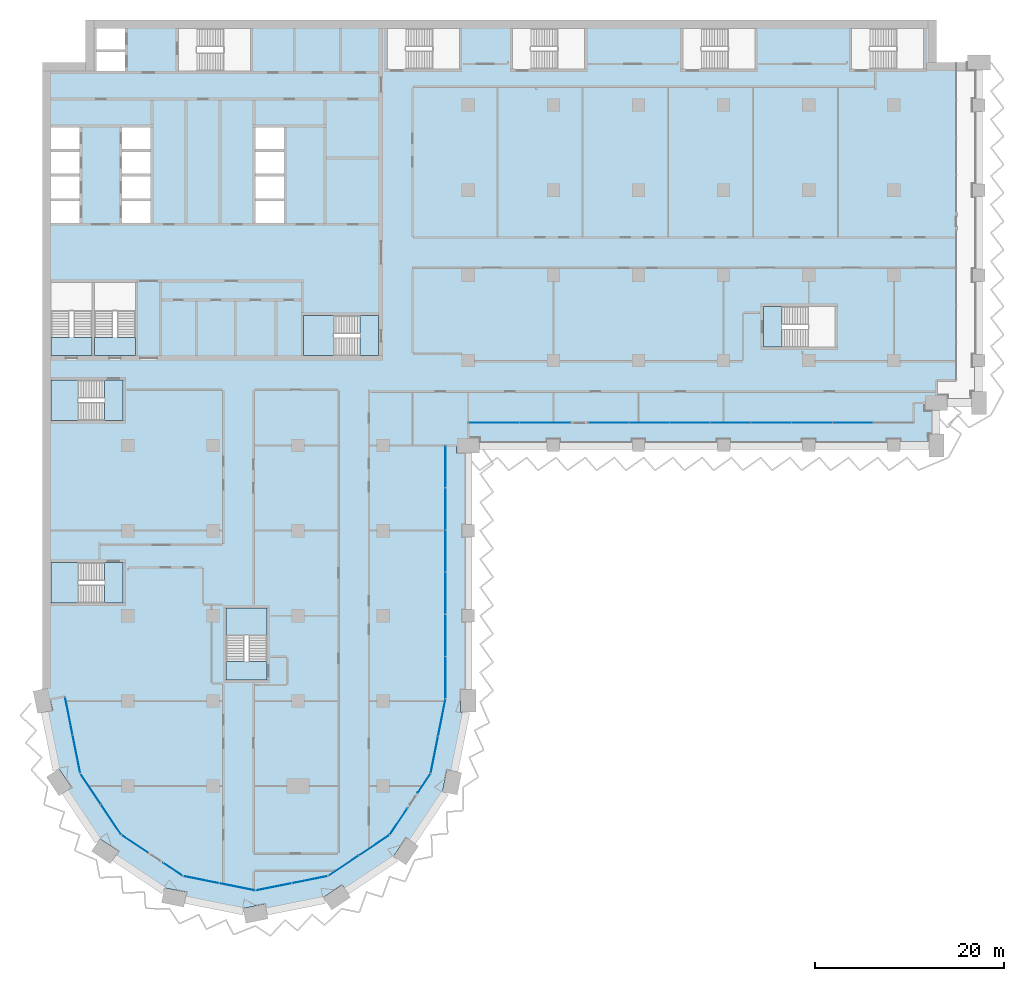
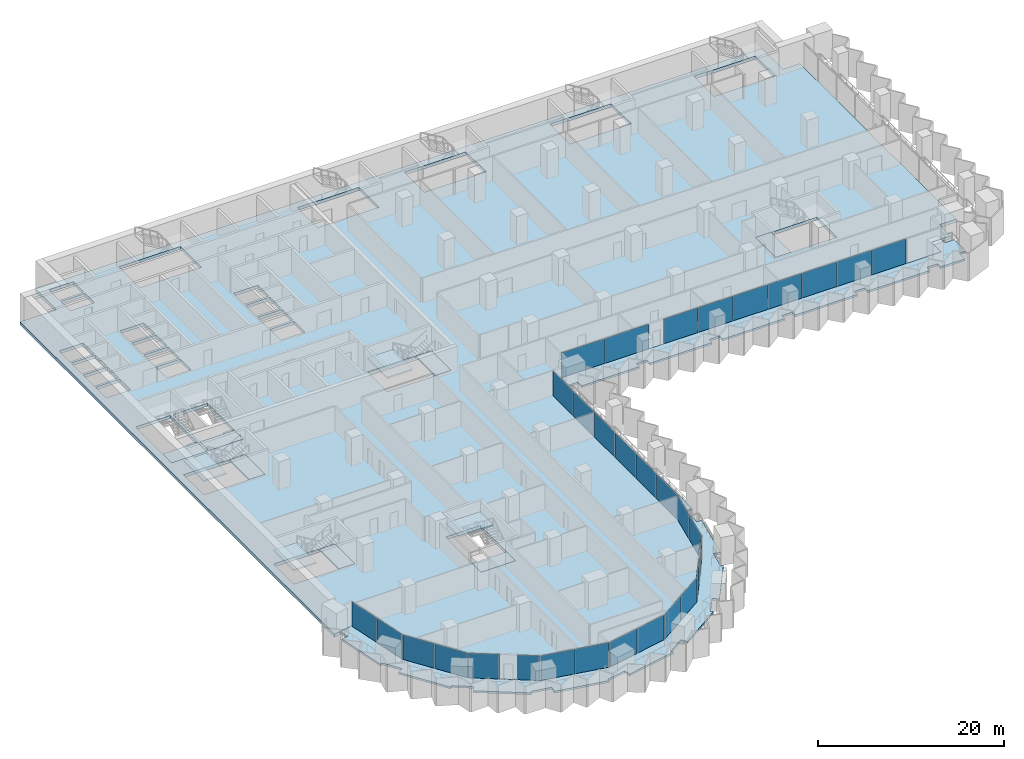
# One storey, part 8 of 29: 31 plates, 14 slabs, 17 elements without a shape of their own.
"""IFC4 building model written with IfcOpenShell, lengths in metres."""

from ifc_helpers import new_model, si_unit, direction, frame, origin, origin_2d, place, context, subcontext, project, spatial, polyline, rectangle, outline, extrude, material, layer, layer_set, type_object, element, aggregate, save


model = new_model("IFC4")

# Units and contexts
model_context = context("Model", 3, precision=1e-05, world=origin(), true_north=direction((0.0, 1.0)))
body_context = subcontext(model_context, "Body", "Model", "MODEL_VIEW")
ifc_project = project(units=[si_unit("LENGTHUNIT", "METRE"), si_unit("AREAUNIT", "SQUARE_METRE"), si_unit("VOLUMEUNIT", "CUBIC_METRE"), si_unit("PLANEANGLEUNIT", "RADIAN"), si_unit("MASSUNIT", "GRAM", prefix="KILO")], contexts=[model_context])

# Site, building, storey
site_placement = place(None, origin())
site = spatial("IfcSite", under=ifc_project, at=site_placement, CompositionType="ELEMENT")
building_placement = place(site_placement, origin())
building = spatial("IfcBuilding", under=site, at=building_placement, Name="Hunhe Ridgeline Campus", CompositionType="ELEMENT")
storey_placement = place(building_placement, frame((0.0, 0.0, 50.60009765625)))
storey = spatial("IfcBuildingStorey", under=building, at=storey_placement, Name="L11", CompositionType="ELEMENT", Elevation=50.60009765625)

# Curtain wall, plates
ifc_material_1 = material(Name="Aluminium 6063", Category="aluminium")
curtain_wall_type_1 = type_object("IfcCurtainWallType", Name="Curtain wall CW-5", PredefinedType="NOTDEFINED", material=ifc_material_1)
curtain_wall_1_placement = place(storey_placement, origin())
curtain_wall_1 = element("IfcCurtainWall", 1, at=curtain_wall_1_placement, inside=storey, type_object=curtain_wall_type_1, Name="Curtain wall 01", PredefinedType="NOTDEFINED")
ifc_material_2 = material(Name="Low-e laminated glass", Category="glass")
ifc_layer_1 = layer(ifc_material_2, 0.028076171875)
ifc_layer_set_1 = layer_set([ifc_layer_1], Name="Curtain wall glass panel 28 low-e laminated")
plate_type = type_object("IfcPlateType", Name="Curtain wall glass panel 28 low-e laminated", PredefinedType="CURTAIN_PANEL", material=ifc_layer_set_1)
plate_1_placement = place(storey_placement, frame((2.76318359375, 25.416015625, 0.0), z_axis=(0.0, 0.0, 1.0), x_axis=(0.195095347137, -0.980784280831, 0.0)))
plate_1 = element("IfcPlate", 2, at=plate_1_placement, type_object=plate_type, Name="CW-5 panel 1", PredefinedType="CURTAIN_PANEL", context=body_context, shape_type="SweptSolid", body=[
    extrude(rectangle(XDim=4.0458984375, YDim=0.028076171875, at=origin_2d()), origin(), (0.0, 0.0, 1.0), 3.22998046875),
])
plate_2_placement = place(storey_placement, frame((3.566162109375, 21.379150390625, 0.0), z_axis=(0.0, 0.0, 1.0), x_axis=(0.195095347137, -0.980784280831, 0.0)))
plate_2 = element("IfcPlate", 3, at=plate_2_placement, type_object=plate_type, Name="CW-5 panel 2", PredefinedType="CURTAIN_PANEL", context=body_context, shape_type="SweptSolid", body=[
    extrude(rectangle(XDim=4.0458984375, YDim=0.028076171875, at=origin_2d()), origin(), (0.0, 0.0, 1.0), 3.22998046875),
])
aggregate(curtain_wall_1, [plate_1, plate_2])

curtain_wall_2_placement = place(storey_placement, origin())
curtain_wall_2 = element("IfcCurtainWall", 4, at=curtain_wall_2_placement, inside=storey, type_object=curtain_wall_type_1, Name="Curtain wall 02", PredefinedType="NOTDEFINED")
plate_3_placement = place(storey_placement, frame((5.07080078125, 17.685546875, 0.0), z_axis=(0.0, 0.0, 1.0), x_axis=(0.555570274596, -0.831469584522, 0.0)))
plate_3 = element("IfcPlate", 5, at=plate_3_placement, type_object=plate_type, Name="CW-5 panel 1", PredefinedType="CURTAIN_PANEL", context=body_context, shape_type="SweptSolid", body=[
    extrude(rectangle(XDim=3.806884765625, YDim=0.028076171875, at=origin_2d()), origin(), (0.0, 0.0, 1.0), 3.22998046875),
])
plate_4_placement = place(storey_placement, frame((7.224609375, 14.4619140625, 0.0), z_axis=(0.0, 0.0, 1.0), x_axis=(0.555570274596, -0.831469584522, 0.0)))
plate_4 = element("IfcPlate", 6, at=plate_4_placement, type_object=plate_type, Name="CW-5 panel 2", PredefinedType="CURTAIN_PANEL", context=body_context, shape_type="SweptSolid", body=[
    extrude(rectangle(XDim=3.806884765625, YDim=0.028076171875, at=origin_2d()), origin(), (0.0, 0.0, 1.0), 3.22998046875),
])
aggregate(curtain_wall_2, [plate_3, plate_4])

# Curtain wall, plate
curtain_wall_3_placement = place(storey_placement, origin())
curtain_wall_3 = element("IfcCurtainWall", 7, at=curtain_wall_3_placement, inside=storey, type_object=curtain_wall_type_1, Name="Curtain wall 03", PredefinedType="NOTDEFINED")
plate_5_placement = place(storey_placement, frame((9.76025390625, 11.859375, 0.0), z_axis=(0.0, 0.0, 1.0), x_axis=(0.831469595944, -0.555570257501, 0.0)))
plate_5 = element("IfcPlate", 8, at=plate_5_placement, type_object=plate_type, Name="CW-5 panel 1", PredefinedType="CURTAIN_PANEL", context=body_context, shape_type="SweptSolid", body=[
    extrude(rectangle(XDim=3.322021484375, YDim=0.028076171875, at=origin_2d()), origin(), (0.0, 0.0, 1.0), 3.22998046875),
])
aggregate(curtain_wall_3, [plate_5])

curtain_wall_4_placement = place(storey_placement, origin())
curtain_wall_4 = element("IfcCurtainWall", 9, at=curtain_wall_4_placement, inside=storey, type_object=curtain_wall_type_1, Name="Curtain wall 04", PredefinedType="NOTDEFINED")
plate_6_placement = place(storey_placement, frame((13.761474609375, 9.18603515625, 0.0), z_axis=(0.0, 0.0, 1.0), x_axis=(0.831469510353, -0.555570385598, 0.0)))
plate_6 = element("IfcPlate", 10, at=plate_6_placement, type_object=plate_type, Name="CW-5 panel 1", PredefinedType="CURTAIN_PANEL", context=body_context, shape_type="SweptSolid", body=[
    extrude(rectangle(XDim=2.421875, YDim=0.028076171875, at=origin_2d()), origin(), (0.0, 0.0, 1.0), 3.22998046875),
])
aggregate(curtain_wall_4, [plate_6])

# Curtain wall, plates
curtain_wall_5_placement = place(storey_placement, origin())
curtain_wall_5 = element("IfcCurtainWall", 11, at=curtain_wall_5_placement, inside=storey, type_object=curtain_wall_type_1, Name="Curtain wall 05", PredefinedType="NOTDEFINED")
plate_7_placement = place(storey_placement, frame((16.761962890625, 8.08935546875, 0.0), z_axis=(0.0, 0.0, 1.0), x_axis=(0.980785275326, -0.195090347539, 0.0)))
plate_7 = element("IfcPlate", 12, at=plate_7_placement, type_object=plate_type, Name="CW-5 panel 1", PredefinedType="CURTAIN_PANEL", context=body_context, shape_type="SweptSolid", body=[
    extrude(rectangle(XDim=3.806884765625, YDim=0.028076171875, at=origin_2d()), origin(), (0.0, 0.0, 1.0), 3.22998046875),
])
plate_8_placement = place(storey_placement, frame((20.564453125, 7.3330078125, 0.0), z_axis=(0.0, 0.0, 1.0), x_axis=(0.980785275326, -0.195090347539, 0.0)))
plate_8 = element("IfcPlate", 13, at=plate_8_placement, type_object=plate_type, Name="CW-5 panel 2", PredefinedType="CURTAIN_PANEL", context=body_context, shape_type="SweptSolid", body=[
    extrude(rectangle(XDim=3.806884765625, YDim=0.028076171875, at=origin_2d()), origin(), (0.0, 0.0, 1.0), 3.22998046875),
])
aggregate(curtain_wall_5, [plate_7, plate_8])

curtain_wall_6_placement = place(storey_placement, origin())
curtain_wall_6 = element("IfcCurtainWall", 14, at=curtain_wall_6_placement, inside=storey, type_object=curtain_wall_type_1, Name="Curtain wall 06", PredefinedType="NOTDEFINED")
plate_9_placement = place(storey_placement, frame((24.435546875, 7.3330078125, 0.0), z_axis=(0.0, 0.0, 1.0), x_axis=(0.980785275326, 0.195090347539, 0.0)))
plate_9 = element("IfcPlate", 15, at=plate_9_placement, type_object=plate_type, Name="CW-5 panel 1", PredefinedType="CURTAIN_PANEL", context=body_context, shape_type="SweptSolid", body=[
    extrude(rectangle(XDim=3.806884765625, YDim=0.028076171875, at=origin_2d()), origin(), (0.0, 0.0, 1.0), 3.22998046875),
])
plate_10_placement = place(storey_placement, frame((28.238037109375, 8.08935546875, 0.0), z_axis=(0.0, 0.0, 1.0), x_axis=(0.980785275326, 0.195090347539, 0.0)))
plate_10 = element("IfcPlate", 16, at=plate_10_placement, type_object=plate_type, Name="CW-5 panel 2", PredefinedType="CURTAIN_PANEL", context=body_context, shape_type="SweptSolid", body=[
    extrude(rectangle(XDim=3.806884765625, YDim=0.028076171875, at=origin_2d()), origin(), (0.0, 0.0, 1.0), 3.22998046875),
])
aggregate(curtain_wall_6, [plate_9, plate_10])

curtain_wall_7_placement = place(storey_placement, origin())
curtain_wall_7 = element("IfcCurtainWall", 17, at=curtain_wall_7_placement, inside=storey, type_object=curtain_wall_type_1, Name="Curtain wall 07", PredefinedType="NOTDEFINED")
plate_11_placement = place(storey_placement, frame((31.814453125, 9.57080078125, 0.0), z_axis=(0.0, 0.0, 1.0), x_axis=(0.831469584522, 0.555570274596, 0.0)))
plate_11 = element("IfcPlate", 18, at=plate_11_placement, type_object=plate_type, Name="CW-5 panel 1", PredefinedType="CURTAIN_PANEL", context=body_context, shape_type="SweptSolid", body=[
    extrude(rectangle(XDim=3.806884765625, YDim=0.028076171875, at=origin_2d()), origin(), (0.0, 0.0, 1.0), 3.22998046875),
])
plate_12_placement = place(storey_placement, frame((35.0380859375, 11.724609375, 0.0), z_axis=(0.0, 0.0, 1.0), x_axis=(0.831469584522, 0.555570274596, 0.0)))
plate_12 = element("IfcPlate", 19, at=plate_12_placement, type_object=plate_type, Name="CW-5 panel 2", PredefinedType="CURTAIN_PANEL", context=body_context, shape_type="SweptSolid", body=[
    extrude(rectangle(XDim=3.806884765625, YDim=0.028076171875, at=origin_2d()), origin(), (0.0, 0.0, 1.0), 3.22998046875),
])
aggregate(curtain_wall_7, [plate_11, plate_12])

# Curtain wall, plate
curtain_wall_8_placement = place(storey_placement, origin())
curtain_wall_8 = element("IfcCurtainWall", 20, at=curtain_wall_8_placement, inside=storey, type_object=curtain_wall_type_1, Name="Curtain wall 08", PredefinedType="NOTDEFINED")
plate_13_placement = place(storey_placement, frame((37.640625, 14.26025390625, 0.0), z_axis=(0.0, 0.0, 1.0), x_axis=(0.555570257501, 0.831469595944, 0.0)))
plate_13 = element("IfcPlate", 21, at=plate_13_placement, type_object=plate_type, Name="CW-5 panel 1", PredefinedType="CURTAIN_PANEL", context=body_context, shape_type="SweptSolid", body=[
    extrude(rectangle(XDim=3.322021484375, YDim=0.028076171875, at=origin_2d()), origin(), (0.0, 0.0, 1.0), 3.22998046875),
])
aggregate(curtain_wall_8, [plate_13])

curtain_wall_9_placement = place(storey_placement, origin())
curtain_wall_9 = element("IfcCurtainWall", 22, at=curtain_wall_9_placement, inside=storey, type_object=curtain_wall_type_1, Name="Curtain wall 09", PredefinedType="NOTDEFINED")
plate_14_placement = place(storey_placement, frame((40.31396484375, 18.261474609375, 0.0), z_axis=(0.0, 0.0, 1.0), x_axis=(0.555570385598, 0.831469510353, 0.0)))
plate_14 = element("IfcPlate", 23, at=plate_14_placement, type_object=plate_type, Name="CW-5 panel 1", PredefinedType="CURTAIN_PANEL", context=body_context, shape_type="SweptSolid", body=[
    extrude(rectangle(XDim=2.421875, YDim=0.028076171875, at=origin_2d()), origin(), (0.0, 0.0, 1.0), 3.22998046875),
])
aggregate(curtain_wall_9, [plate_14])

# Curtain wall, plates
curtain_wall_10_placement = place(storey_placement, origin())
curtain_wall_10 = element("IfcCurtainWall", 24, at=curtain_wall_10_placement, inside=storey, type_object=curtain_wall_type_1, Name="Curtain wall 10", PredefinedType="NOTDEFINED")
plate_15_placement = place(storey_placement, frame((41.42236328125, 21.321044921875, 0.0), z_axis=(0.0, 0.0, 1.0), x_axis=(0.195090299215, 0.980785284939, 0.0)))
plate_15 = element("IfcPlate", 25, at=plate_15_placement, type_object=plate_type, Name="CW-5 panel 1", PredefinedType="CURTAIN_PANEL", context=body_context, shape_type="SweptSolid", body=[
    extrude(rectangle(XDim=3.927490234375, YDim=0.028076171875, at=origin_2d()), origin(), (0.0, 0.0, 1.0), 3.22998046875),
])
plate_16_placement = place(storey_placement, frame((42.2021484375, 25.24169921875, 0.0), z_axis=(0.0, 0.0, 1.0), x_axis=(0.195090299215, 0.980785284939, 0.0)))
plate_16 = element("IfcPlate", 26, at=plate_16_placement, type_object=plate_type, Name="CW-5 panel 2", PredefinedType="CURTAIN_PANEL", context=body_context, shape_type="SweptSolid", body=[
    extrude(rectangle(XDim=3.927490234375, YDim=0.028076171875, at=origin_2d()), origin(), (0.0, 0.0, 1.0), 3.22998046875),
])
aggregate(curtain_wall_10, [plate_15, plate_16])

curtain_wall_type_2 = type_object("IfcCurtainWallType", Name="Curtain wall CW-1", PredefinedType="NOTDEFINED", material=ifc_material_1)
curtain_wall_11_placement = place(storey_placement, origin())
curtain_wall_11 = element("IfcCurtainWall", 27, at=curtain_wall_11_placement, inside=storey, type_object=curtain_wall_type_2, Name="Curtain wall 11", PredefinedType="NOTDEFINED")
plate_17_placement = place(storey_placement, frame((42.59912109375, 29.481689453125, 0.0), z_axis=(0.0, 0.0, 1.0), x_axis=(1.8682e-07, 1.0, 0.0)))
plate_17 = element("IfcPlate", 28, at=plate_17_placement, type_object=plate_type, Name="CW-1 panel 1", PredefinedType="CURTAIN_PANEL", context=body_context, shape_type="SweptSolid", body=[
    extrude(rectangle(XDim=4.37060546875, YDim=0.028076171875, at=origin_2d()), origin(), (0.0, 0.0, 1.0), 3.239990234375),
])
plate_18_placement = place(storey_placement, frame((42.59912109375, 33.927490234375, 0.0), z_axis=(0.0, 0.0, 1.0), x_axis=(1.8682e-07, 1.0, 0.0)))
plate_18 = element("IfcPlate", 29, at=plate_18_placement, type_object=plate_type, Name="CW-1 panel 2", PredefinedType="CURTAIN_PANEL", context=body_context, shape_type="SweptSolid", body=[
    extrude(rectangle(XDim=4.400634765625, YDim=0.028076171875, at=origin_2d()), origin(), (0.0, 0.0, 1.0), 3.239990234375),
])
plate_19_placement = place(storey_placement, frame((42.59912109375, 38.387939453125, 0.0), z_axis=(0.0, 0.0, 1.0), x_axis=(1.8682e-07, 1.0, 0.0)))
plate_19 = element("IfcPlate", 30, at=plate_19_placement, type_object=plate_type, Name="CW-1 panel 3", PredefinedType="CURTAIN_PANEL", context=body_context, shape_type="SweptSolid", body=[
    extrude(rectangle(XDim=4.400634765625, YDim=0.028076171875, at=origin_2d()), origin(), (0.0, 0.0, 1.0), 3.239990234375),
])
plate_20_placement = place(storey_placement, frame((42.59912109375, 42.8486328125, 0.0), z_axis=(0.0, 0.0, 1.0), x_axis=(1.8682e-07, 1.0, 0.0)))
plate_20 = element("IfcPlate", 31, at=plate_20_placement, type_object=plate_type, Name="CW-1 panel 4", PredefinedType="CURTAIN_PANEL", context=body_context, shape_type="SweptSolid", body=[
    extrude(rectangle(XDim=4.400634765625, YDim=0.028076171875, at=origin_2d()), origin(), (0.0, 0.0, 1.0), 3.239990234375),
])
plate_21_placement = place(storey_placement, frame((42.59912109375, 47.30908203125, 0.0), z_axis=(0.0, 0.0, 1.0), x_axis=(1.8682e-07, 1.0, 0.0)))
plate_21 = element("IfcPlate", 32, at=plate_21_placement, type_object=plate_type, Name="CW-1 panel 5", PredefinedType="CURTAIN_PANEL", context=body_context, shape_type="SweptSolid", body=[
    extrude(rectangle(XDim=4.400634765625, YDim=0.028076171875, at=origin_2d()), origin(), (0.0, 0.0, 1.0), 3.239990234375),
])
plate_22_placement = place(storey_placement, frame((42.59912109375, 51.7548828125, 0.0), z_axis=(0.0, 0.0, 1.0), x_axis=(1.8682e-07, 1.0, 0.0)))
plate_22 = element("IfcPlate", 33, at=plate_22_placement, type_object=plate_type, Name="CW-1 panel 6", PredefinedType="CURTAIN_PANEL", context=body_context, shape_type="SweptSolid", body=[
    extrude(rectangle(XDim=4.37060546875, YDim=0.028076171875, at=origin_2d()), origin(), (0.0, 0.0, 1.0), 3.239990234375),
])
aggregate(curtain_wall_11, [plate_17, plate_18, plate_19, plate_20, plate_21, plate_22])

curtain_wall_12_placement = place(storey_placement, origin())
curtain_wall_12 = element("IfcCurtainWall", 34, at=curtain_wall_12_placement, inside=storey, type_object=curtain_wall_type_2, Name="Curtain wall 12", PredefinedType="NOTDEFINED")
plate_23_placement = place(storey_placement, frame((47.733154296875, 56.40087890625, 0.0), z_axis=(0.0, 0.0, 1.0), x_axis=(0.999999999994, 3.58625e-06, 0.0)))
plate_23 = element("IfcPlate", 35, at=plate_23_placement, type_object=plate_type, Name="CW-1 panel 1", PredefinedType="CURTAIN_PANEL", context=body_context, shape_type="SweptSolid", body=[
    extrude(rectangle(XDim=5.347412109375, YDim=0.028076171875, at=origin_2d()), origin(), (0.0, 0.0, 1.0), 3.239990234375),
])
plate_24_placement = place(storey_placement, frame((53.140625, 56.40087890625, 0.0), z_axis=(0.0, 0.0, 1.0), x_axis=(0.999999999994, 3.58625e-06, 0.0)))
plate_24 = element("IfcPlate", 36, at=plate_24_placement, type_object=plate_type, Name="CW-1 panel 2", PredefinedType="CURTAIN_PANEL", context=body_context, shape_type="SweptSolid", body=[
    extrude(rectangle(XDim=5.347412109375, YDim=0.028076171875, at=origin_2d()), origin(), (0.0, 0.0, 1.0), 3.239990234375),
])
aggregate(curtain_wall_12, [plate_23, plate_24])

curtain_wall_13_placement = place(storey_placement, origin())
curtain_wall_13 = element("IfcCurtainWall", 37, at=curtain_wall_13_placement, inside=storey, type_object=curtain_wall_type_2, Name="Curtain wall 13", PredefinedType="NOTDEFINED")
plate_25_placement = place(storey_placement, frame((59.8408203125, 56.40087890625, 0.0), z_axis=(0.0, 0.0, 1.0), x_axis=(0.999999999994, 3.602063e-06, 0.0)))
plate_25 = element("IfcPlate", 38, at=plate_25_placement, type_object=plate_type, Name="CW-1 panel 1", PredefinedType="CURTAIN_PANEL", context=body_context, shape_type="SweptSolid", body=[
    extrude(rectangle(XDim=4.213134765625, YDim=0.028076171875, at=origin_2d()), origin(), (0.0, 0.0, 1.0), 3.239990234375),
])
plate_26_placement = place(storey_placement, frame((64.12890625, 56.40087890625, 0.0), z_axis=(0.0, 0.0, 1.0), x_axis=(0.999999999994, 3.602063e-06, 0.0)))
plate_26 = element("IfcPlate", 39, at=plate_26_placement, type_object=plate_type, Name="CW-1 panel 2", PredefinedType="CURTAIN_PANEL", context=body_context, shape_type="SweptSolid", body=[
    extrude(rectangle(XDim=4.2431640625, YDim=0.028076171875, at=origin_2d()), origin(), (0.0, 0.0, 1.0), 3.239990234375),
])
plate_27_placement = place(storey_placement, frame((68.43212890625, 56.40087890625, 0.0), z_axis=(0.0, 0.0, 1.0), x_axis=(0.999999999994, 3.602063e-06, 0.0)))
plate_27 = element("IfcPlate", 40, at=plate_27_placement, type_object=plate_type, Name="CW-1 panel 3", PredefinedType="CURTAIN_PANEL", context=body_context, shape_type="SweptSolid", body=[
    extrude(rectangle(XDim=4.2431640625, YDim=0.028076171875, at=origin_2d()), origin(), (0.0, 0.0, 1.0), 3.239990234375),
])
plate_28_placement = place(storey_placement, frame((72.735107421875, 56.40087890625, 0.0), z_axis=(0.0, 0.0, 1.0), x_axis=(0.999999999994, 3.602063e-06, 0.0)))
plate_28 = element("IfcPlate", 41, at=plate_28_placement, type_object=plate_type, Name="CW-1 panel 4", PredefinedType="CURTAIN_PANEL", context=body_context, shape_type="SweptSolid", body=[
    extrude(rectangle(XDim=4.2431640625, YDim=0.028076171875, at=origin_2d()), origin(), (0.0, 0.0, 1.0), 3.239990234375),
])
plate_29_placement = place(storey_placement, frame((77.038330078125, 56.40087890625, 0.0), z_axis=(0.0, 0.0, 1.0), x_axis=(0.999999999994, 3.602063e-06, 0.0)))
plate_29 = element("IfcPlate", 42, at=plate_29_placement, type_object=plate_type, Name="CW-1 panel 5", PredefinedType="CURTAIN_PANEL", context=body_context, shape_type="SweptSolid", body=[
    extrude(rectangle(XDim=4.2431640625, YDim=0.028076171875, at=origin_2d()), origin(), (0.0, 0.0, 1.0), 3.239990234375),
])
plate_30_placement = place(storey_placement, frame((81.34130859375, 56.40087890625, 0.0), z_axis=(0.0, 0.0, 1.0), x_axis=(0.999999999994, 3.602063e-06, 0.0)))
plate_30 = element("IfcPlate", 43, at=plate_30_placement, type_object=plate_type, Name="CW-1 panel 6", PredefinedType="CURTAIN_PANEL", context=body_context, shape_type="SweptSolid", body=[
    extrude(rectangle(XDim=4.2431640625, YDim=0.028076171875, at=origin_2d()), origin(), (0.0, 0.0, 1.0), 3.239990234375),
])
plate_31_placement = place(storey_placement, frame((85.644287109375, 56.40087890625, 0.0), z_axis=(0.0, 0.0, 1.0), x_axis=(0.999999999994, 3.602063e-06, 0.0)))
plate_31 = element("IfcPlate", 44, at=plate_31_placement, type_object=plate_type, Name="CW-1 panel 7", PredefinedType="CURTAIN_PANEL", context=body_context, shape_type="SweptSolid", body=[
    extrude(rectangle(XDim=4.2431640625, YDim=0.028076171875, at=origin_2d()), origin(), (0.0, 0.0, 1.0), 3.239990234375),
])
aggregate(curtain_wall_13, [plate_25, plate_26, plate_27, plate_28, plate_29, plate_30, plate_31])

# Slabs
ifc_material_3 = material(Name="Concrete C40", Category="concrete")
ifc_layer_2 = layer(ifc_material_3, 0.39990234375)
ifc_layer_set_2 = layer_set([ifc_layer_2], Name="Floor slab 400 Concrete C40")
slab_type_1 = type_object("IfcSlabType", Name="Floor slab 400 Concrete C40", PredefinedType="FLOOR", material=ifc_layer_set_2)
slab_1_placement = place(storey_placement, frame((0.0, 0.0, -0.400146484375)))
element("IfcSlab", 45, at=slab_1_placement, inside=storey, type_object=slab_type_1, Name="Floor slab L11 1", PredefinedType="FLOOR", context=body_context, shape_type="SweptSolid", body=[
    extrude(outline(polyline([(4.5, 94.5), (0.0, 94.5), (0.0, 27.0009765625), (2.354736328125, 27.46875), (3.974365234375, 19.326416015625), (8.321044921875, 12.821044921875), (14.826416015625, 8.474365234375), (22.5, 6.947998046875), (30.173583984375, 8.474365234375), (36.678955078125, 12.821044921875), (41.025634765625, 19.326416015625), (42.59912109375, 27.236572265625), (42.59912109375, 54.0), (44.9990234375, 54.0009765625), (44.99951171875, 56.40087890625), (92.09912109375, 56.40087890625), (92.099365234375, 58.500732421875), (94.4990234375, 58.5009765625), (94.499267578125, 60.900634765625), (96.59912109375, 60.90087890625), (96.59912109375, 94.5), (94.5, 94.5), (94.5, 99.0), (4.5, 99.0), (4.5, 94.5)]), holes=[polyline([(93.14990234375, 93.800048828125), (93.14990234375, 98.10009765625), (85.550048828125, 98.10009765625), (85.550048828125, 93.800048828125), (93.14990234375, 93.800048828125)]), polyline([(76.199951171875, 68.699951171875), (76.199951171875, 64.39990234375), (83.800048828125, 64.39990234375), (83.800048828125, 68.699951171875), (76.199951171875, 68.699951171875)]), polyline([(75.300048828125, 98.10009765625), (67.699951171875, 98.10009765625), (67.699951171875, 93.800048828125), (75.300048828125, 93.800048828125), (75.300048828125, 98.10009765625)]), polyline([(49.699951171875, 98.10009765625), (49.699951171875, 93.800048828125), (57.300048828125, 93.800048828125), (57.300048828125, 98.10009765625), (49.699951171875, 98.10009765625)]), polyline([(36.449951171875, 93.800048828125), (44.050048828125, 93.800048828125), (44.050048828125, 98.10009765625), (36.449951171875, 98.10009765625), (36.449951171875, 93.800048828125)]), polyline([(35.5, 63.5), (35.5, 67.75), (27.60009765625, 67.75), (27.60009765625, 63.5), (35.5, 63.5)]), polyline([(25.5, 80.14990234375), (25.5, 82.449951171875), (22.5, 82.449951171875), (22.5, 80.14990234375), (25.5, 80.14990234375)]), polyline([(25.5, 79.85009765625), (22.5, 79.85009765625), (22.5, 77.550048828125), (25.5, 77.550048828125), (25.5, 79.85009765625)]), polyline([(22.5, 87.64990234375), (22.5, 85.35009765625), (25.5, 85.35009765625), (25.5, 87.64990234375), (22.5, 87.64990234375)]), polyline([(22.5, 82.75), (25.5, 82.75), (25.5, 85.050048828125), (22.5, 85.050048828125), (22.5, 82.75)]), polyline([(23.699951171875, 29.199951171875), (23.699951171875, 36.800048828125), (19.39990234375, 36.800048828125), (19.39990234375, 29.199951171875), (23.699951171875, 29.199951171875)]), polyline([(14.35009765625, 93.60009765625), (21.949951171875, 93.60009765625), (21.949951171875, 98.10009765625), (14.35009765625, 98.10009765625), (14.35009765625, 93.60009765625)]), polyline([(11.39990234375, 79.85009765625), (8.39990234375, 79.85009765625), (8.39990234375, 77.550048828125), (11.39990234375, 77.550048828125), (11.39990234375, 79.85009765625)]), polyline([(11.39990234375, 80.14990234375), (11.39990234375, 82.449951171875), (8.39990234375, 82.449951171875), (8.39990234375, 80.14990234375), (11.39990234375, 80.14990234375)]), polyline([(8.39990234375, 87.64990234375), (8.39990234375, 85.35009765625), (11.39990234375, 85.35009765625), (11.39990234375, 87.64990234375), (8.39990234375, 87.64990234375)]), polyline([(8.39990234375, 82.75), (11.39990234375, 82.75), (11.39990234375, 85.050048828125), (8.39990234375, 85.050048828125), (8.39990234375, 82.75)]), polyline([(9.800048828125, 71.25), (5.5, 71.25), (5.5, 63.5), (9.800048828125, 63.5), (9.800048828125, 71.25)]), polyline([(8.699951171875, 95.89990234375), (8.699951171875, 98.10009765625), (5.699951171875, 98.10009765625), (5.699951171875, 95.89990234375), (8.699951171875, 95.89990234375)]), polyline([(8.699951171875, 95.60009765625), (5.699951171875, 95.60009765625), (5.699951171875, 93.60009765625), (8.699951171875, 93.60009765625), (8.699951171875, 95.60009765625)]), polyline([(0.89990234375, 37.35009765625), (8.5, 37.35009765625), (8.5, 41.64990234375), (0.89990234375, 41.64990234375), (0.89990234375, 37.35009765625)]), polyline([(0.89990234375, 60.949951171875), (0.89990234375, 56.64990234375), (8.5, 56.64990234375), (8.5, 60.949951171875), (0.89990234375, 60.949951171875)]), polyline([(0.89990234375, 71.25), (0.89990234375, 63.5), (5.199951171875, 63.5), (5.199951171875, 71.25), (0.89990234375, 71.25)]), polyline([(3.89990234375, 80.14990234375), (3.89990234375, 82.449951171875), (0.89990234375, 82.449951171875), (0.89990234375, 80.14990234375), (3.89990234375, 80.14990234375)]), polyline([(3.89990234375, 79.85009765625), (0.89990234375, 79.85009765625), (0.89990234375, 77.550048828125), (3.89990234375, 77.550048828125), (3.89990234375, 79.85009765625)]), polyline([(0.89990234375, 87.64990234375), (0.89990234375, 85.35009765625), (3.89990234375, 85.35009765625), (3.89990234375, 87.64990234375), (0.89990234375, 87.64990234375)]), polyline([(0.89990234375, 82.75), (3.89990234375, 82.75), (3.89990234375, 85.050048828125), (0.89990234375, 85.050048828125), (0.89990234375, 82.75)])]), origin(), (0.0, 0.0, 1.0), 0.400146484375),
])
ifc_layer_3 = layer(ifc_material_3, 0.25)
ifc_layer_set_3 = layer_set([ifc_layer_3], Name="Loggia slab 250 Concrete C40")
slab_type_2 = type_object("IfcSlabType", Name="Loggia slab 250 Concrete C40", PredefinedType="FLOOR", material=ifc_layer_set_3)
slab_2_placement = place(storey_placement, frame((0.0, 0.0, -0.25)))
element("IfcSlab", 46, at=slab_2_placement, inside=storey, type_object=slab_type_2, Name="Loggia slab 1", PredefinedType="FLOOR", context=body_context, shape_type="SweptSolid", body=[
    extrude(outline(polyline([(30.173828125, 8.473388671875), (22.5, 6.947021484375), (14.826171875, 8.473388671875), (8.3203125, 12.8203125), (3.973388671875, 19.326171875), (2.35400390625, 27.46826171875), (0.78466796875, 27.156005859375), (1.018798828125, 25.979248046875), (0.234130859375, 25.822998046875), (1.459228515625, 19.66357421875), (1.711181640625, 19.831787109375), (3.044677734375, 17.83642578125), (2.37939453125, 17.391845703125), (5.868408203125, 12.170166015625), (6.036865234375, 12.421875), (8.0322265625, 11.088623046875), (7.587890625, 10.42333984375), (12.8095703125, 6.934326171875), (12.86865234375, 7.2314453125), (15.22265625, 6.76318359375), (15.066650390625, 5.978515625), (21.22607421875, 4.75341796875), (21.1669921875, 5.050537109375), (23.520751953125, 5.518798828125), (23.677001953125, 4.734130859375), (29.83642578125, 5.959228515625), (29.668212890625, 6.211181640625), (31.66357421875, 7.544677734375), (32.108154296875, 6.87939453125), (37.329833984375, 10.368408203125), (37.078125, 10.536865234375), (38.411376953125, 12.5322265625), (39.07666015625, 12.087890625), (42.565673828125, 17.3095703125), (42.2685546875, 17.36865234375), (42.73681640625, 19.72265625), (43.521484375, 19.566650390625), (44.76123046875, 25.800048828125), (44.199951171875, 25.800048828125), (44.199951171875, 28.199951171875), (45.0, 28.199951171875), (45.0, 35.35009765625), (44.35009765625, 35.35009765625), (44.35009765625, 36.64990234375), (45.0, 36.64990234375), (45.0, 44.35009765625), (44.35009765625, 44.35009765625), (44.35009765625, 45.64990234375), (45.0, 45.64990234375), (45.0, 53.199951171875), (43.800048828125, 53.199951171875), (43.800048828125, 54.0), (42.60009765625, 54.0), (42.60009765625, 27.236328125), (41.026611328125, 19.326171875), (36.6796875, 12.8203125), (30.173828125, 8.473388671875)])), origin(), (0.0, 0.0, 1.0), 0.25),
])
slab_3_placement = place(storey_placement, frame((0.0, 0.0, -0.25)))
element("IfcSlab", 47, at=slab_3_placement, inside=storey, type_object=slab_type_2, Name="Loggia slab 2", PredefinedType="FLOOR", context=body_context, shape_type="SweptSolid", body=[
    extrude(outline(polyline([(45.0, 54.800048828125), (46.199951171875, 54.800048828125), (46.199951171875, 54.0), (53.35009765625, 54.0), (53.35009765625, 54.64990234375), (54.64990234375, 54.64990234375), (54.64990234375, 54.0), (62.35009765625, 54.0), (62.35009765625, 54.64990234375), (63.64990234375, 54.64990234375), (63.64990234375, 54.0), (71.35009765625, 54.0), (71.35009765625, 54.64990234375), (72.64990234375, 54.64990234375), (72.64990234375, 54.0), (80.35009765625, 54.0), (80.35009765625, 54.64990234375), (81.64990234375, 54.64990234375), (81.64990234375, 54.0), (89.35009765625, 54.0), (89.35009765625, 54.64990234375), (90.64990234375, 54.64990234375), (90.64990234375, 54.0), (93.699951171875, 54.0), (93.699951171875, 55.199951171875), (94.5, 55.199951171875), (94.5, 57.699951171875), (93.300048828125, 57.699951171875), (93.300048828125, 58.5), (92.10009765625, 58.5), (92.10009765625, 56.39990234375), (45.0, 56.39990234375), (45.0, 54.800048828125)])), origin(), (0.0, 0.0, 1.0), 0.25),
])

# Stair, slab
stair_type = type_object("IfcStairType", Name="Reinforced concrete dog-leg stair 1950 Concrete C40", PredefinedType="HALF_TURN_STAIR", material=ifc_material_3)
stair_1_placement = place(storey_placement, origin())
stair_1 = element("IfcStair", 48, at=stair_1_placement, inside=storey, type_object=stair_type, Name="L11 S2", PredefinedType="HALF_TURN_STAIR")
ifc_layer_4 = layer(ifc_material_3, 0.199951171875)
ifc_layer_set_4 = layer_set([ifc_layer_4], Name="Reinforced concrete stair landing 200 Concrete C40")
slab_type_3 = type_object("IfcSlabType", Name="Reinforced concrete stair landing 200 Concrete C40", PredefinedType="LANDING", material=ifc_layer_set_4)
slab_4_placement = place(storey_placement, frame((0.0, 0.0, 1.64990234375)))
slab_4 = element("IfcSlab", 49, at=slab_4_placement, type_object=slab_type_3, Name="ST2 landing 1", PredefinedType="LANDING", context=body_context, shape_type="SweptSolid", body=[
    extrude(outline(polyline([(30.75, 67.75), (27.60009765625, 67.75), (27.60009765625, 63.5), (30.75, 63.5), (30.75, 67.75)])), origin(), (0.0, 0.0, 1.0), 0.199951171875),
])
aggregate(stair_1, [slab_4])

# Slabs
slab_5_placement = place(storey_placement, frame((0.0, 0.0, -0.2001953125)))
element("IfcSlab", 50, at=slab_5_placement, inside=storey, type_object=slab_type_3, Name="L11 stair S2 floor landing", PredefinedType="LANDING", context=body_context, shape_type="SweptSolid", body=[
    extrude(outline(polyline([(35.5, 67.75), (33.550048828125, 67.75), (33.550048828125, 63.5), (35.5, 63.5), (35.5, 67.75)])), origin(), (0.0, 0.0, 1.0), 0.2001953125),
])
slab_6_placement = place(storey_placement, frame((0.0, 0.0, -0.2001953125)))
element("IfcSlab", 51, at=slab_6_placement, inside=storey, type_object=slab_type_3, Name="L11 stair S3 floor landing", PredefinedType="LANDING", context=body_context, shape_type="SweptSolid", body=[
    extrude(outline(polyline([(5.199951171875, 63.5), (5.199951171875, 65.449951171875), (0.89990234375, 65.449951171875), (0.89990234375, 63.5), (5.199951171875, 63.5)])), origin(), (0.0, 0.0, 1.0), 0.2001953125),
])
slab_7_placement = place(storey_placement, frame((0.0, 0.0, -0.2001953125)))
element("IfcSlab", 52, at=slab_7_placement, inside=storey, type_object=slab_type_3, Name="L11 stair S4 floor landing", PredefinedType="LANDING", context=body_context, shape_type="SweptSolid", body=[
    extrude(outline(polyline([(9.800048828125, 63.5), (9.800048828125, 65.449951171875), (5.5, 65.449951171875), (5.5, 63.5), (9.800048828125, 63.5)])), origin(), (0.0, 0.0, 1.0), 0.2001953125),
])

# Stair, slab
stair_2_placement = place(storey_placement, origin())
stair_2 = element("IfcStair", 53, at=stair_2_placement, inside=storey, type_object=stair_type, Name="L11 W3", PredefinedType="HALF_TURN_STAIR")
slab_8_placement = place(storey_placement, frame((0.0, 0.0, 1.64990234375)))
slab_8 = element("IfcSlab", 54, at=slab_8_placement, type_object=slab_type_3, Name="ST9 landing 1", PredefinedType="LANDING", context=body_context, shape_type="SweptSolid", body=[
    extrude(outline(polyline([(23.699951171875, 33.949951171875), (23.699951171875, 36.800048828125), (19.39990234375, 36.800048828125), (19.39990234375, 33.949951171875), (23.699951171875, 33.949951171875)])), origin(), (0.0, 0.0, 1.0), 0.199951171875),
])
aggregate(stair_2, [slab_8])

# Slabs
slab_9_placement = place(storey_placement, frame((0.0, 0.0, -0.2001953125)))
element("IfcSlab", 55, at=slab_9_placement, inside=storey, type_object=slab_type_3, Name="L11 stair W3 floor landing", PredefinedType="LANDING", context=body_context, shape_type="SweptSolid", body=[
    extrude(outline(polyline([(23.699951171875, 29.199951171875), (23.699951171875, 31.14990234375), (19.39990234375, 31.14990234375), (19.39990234375, 29.199951171875), (23.699951171875, 29.199951171875)])), origin(), (0.0, 0.0, 1.0), 0.2001953125),
])
slab_10_placement = place(storey_placement, frame((0.0, 0.0, -0.2001953125)))
element("IfcSlab", 56, at=slab_10_placement, inside=storey, type_object=slab_type_3, Name="L11 stair E5 floor landing", PredefinedType="LANDING", context=body_context, shape_type="SweptSolid", body=[
    extrude(outline(polyline([(76.199951171875, 64.39990234375), (78.14990234375, 64.39990234375), (78.14990234375, 68.699951171875), (76.199951171875, 68.699951171875), (76.199951171875, 64.39990234375)])), origin(), (0.0, 0.0, 1.0), 0.2001953125),
])

# Stair, slab
stair_3_placement = place(storey_placement, origin())
stair_3 = element("IfcStair", 57, at=stair_3_placement, inside=storey, type_object=stair_type, Name="L11 W1", PredefinedType="HALF_TURN_STAIR")
slab_11_placement = place(storey_placement, frame((0.0, 0.0, 1.64990234375)))
slab_11 = element("IfcSlab", 58, at=slab_11_placement, type_object=slab_type_3, Name="ST11 landing 1", PredefinedType="LANDING", context=body_context, shape_type="SweptSolid", body=[
    extrude(outline(polyline([(3.75, 41.64990234375), (0.89990234375, 41.64990234375), (0.89990234375, 37.35009765625), (3.75, 37.35009765625), (3.75, 41.64990234375)])), origin(), (0.0, 0.0, 1.0), 0.199951171875),
])
aggregate(stair_3, [slab_11])

# Slab
slab_12_placement = place(storey_placement, frame((0.0, 0.0, -0.2001953125)))
element("IfcSlab", 59, at=slab_12_placement, inside=storey, type_object=slab_type_3, Name="L11 stair W1 floor landing", PredefinedType="LANDING", context=body_context, shape_type="SweptSolid", body=[
    extrude(outline(polyline([(8.5, 41.64990234375), (6.550048828125, 41.64990234375), (6.550048828125, 37.35009765625), (8.5, 37.35009765625), (8.5, 41.64990234375)])), origin(), (0.0, 0.0, 1.0), 0.2001953125),
])

# Stair, slab
stair_4_placement = place(storey_placement, origin())
stair_4 = element("IfcStair", 60, at=stair_4_placement, inside=storey, type_object=stair_type, Name="L11 W2", PredefinedType="HALF_TURN_STAIR")
slab_13_placement = place(storey_placement, frame((0.0, 0.0, 1.64990234375)))
slab_13 = element("IfcSlab", 61, at=slab_13_placement, type_object=slab_type_3, Name="ST12 landing 1", PredefinedType="LANDING", context=body_context, shape_type="SweptSolid", body=[
    extrude(outline(polyline([(3.75, 60.949951171875), (0.89990234375, 60.949951171875), (0.89990234375, 56.64990234375), (3.75, 56.64990234375), (3.75, 60.949951171875)])), origin(), (0.0, 0.0, 1.0), 0.199951171875),
])
aggregate(stair_4, [slab_13])

# Slab
slab_14_placement = place(storey_placement, frame((0.0, 0.0, -0.2001953125)))
element("IfcSlab", 62, at=slab_14_placement, inside=storey, type_object=slab_type_3, Name="L11 stair W2 floor landing", PredefinedType="LANDING", context=body_context, shape_type="SweptSolid", body=[
    extrude(outline(polyline([(8.5, 60.949951171875), (6.550048828125, 60.949951171875), (6.550048828125, 56.64990234375), (8.5, 56.64990234375), (8.5, 60.949951171875)])), origin(), (0.0, 0.0, 1.0), 0.2001953125),
])

save(model, "model.ifc")
